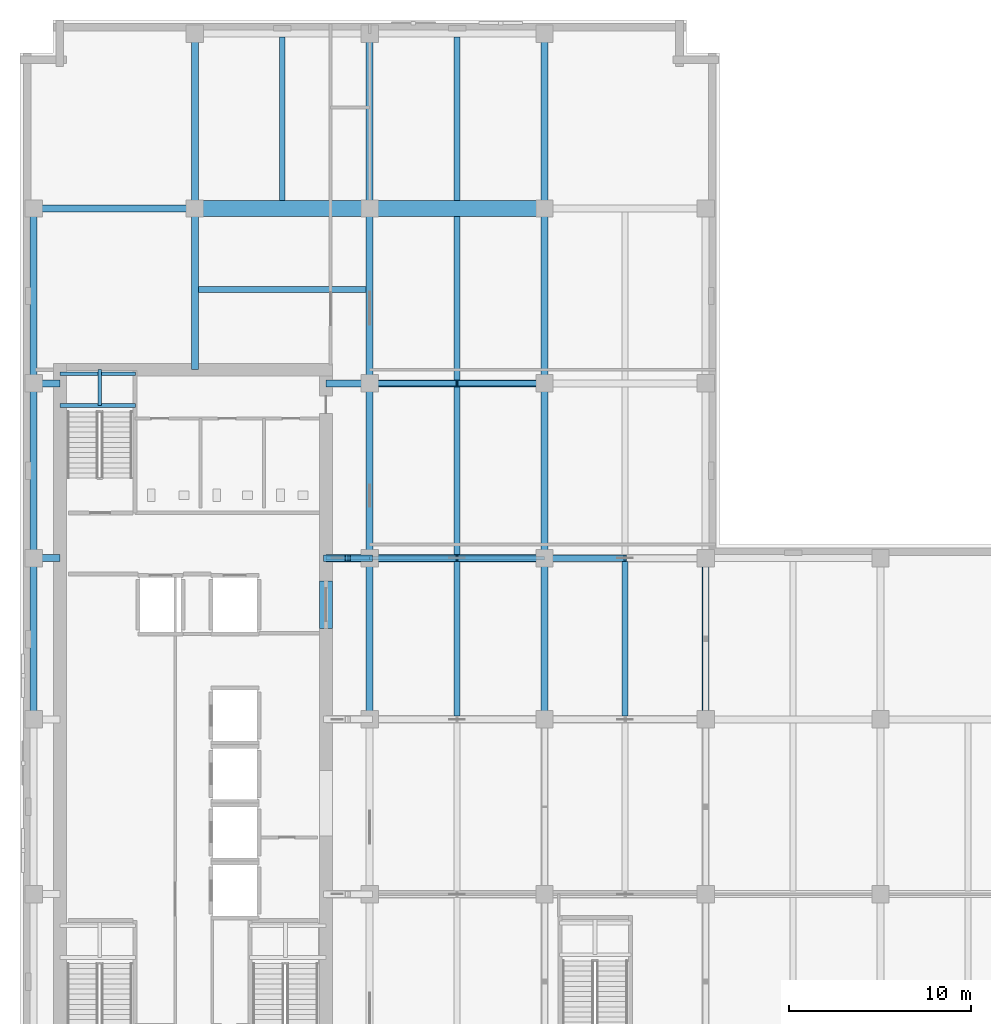
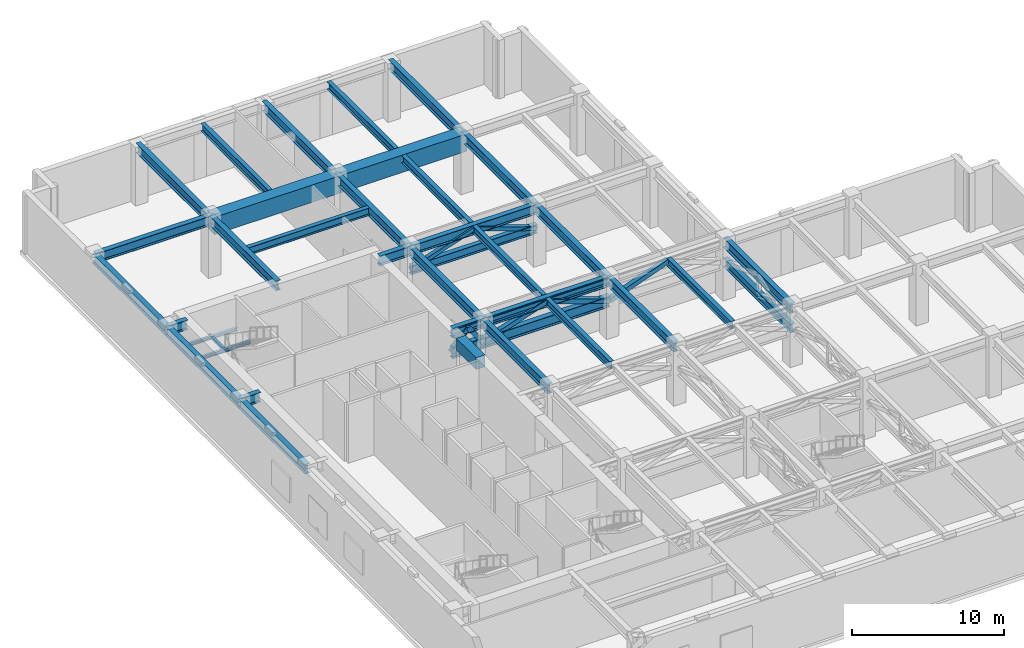
# One storey, part 6 of 21: 38 beams, 9 members.
"""IFC4 building model written with IfcOpenShell, lengths in metres."""

import ifcopenshell
import ifcopenshell.guid

model = None  # the IFC model being written
_history = None  # IfcOwnerHistory: only IFC2X3 demands one
_inside = {}  # id of a spatial element -> (the spatial element, [elements in it])
_under = {}  # id of a project, library or spatial element -> (it, [spatial elements below it])
_declared = {}  # id of a project -> (the project, [libraries it declares])
_typed = {}  # id of a type object -> (the type object, [elements of that type])
_made_of = {}  # id of a material, layer set ... -> (it, [elements and type objects made of it])


def new_model(schema):
    """Start an empty IFC model of exactly this schema.

    Asked for "IFC4X3", IfcOpenShell would pick the latest addendum, in which some entities
    have other attributes; the version numbers below select the first issue.
    IFC2X3 requires an IfcOwnerHistory on every rooted entity: one is made here for all.
    """
    global model, _history
    if schema == "IFC4X3":
        model = ifcopenshell.file(schema_version=(4, 3, 0, 0))
    else:
        model = ifcopenshell.file(schema=schema)
    _inside.clear()
    _under.clear()
    _declared.clear()
    _typed.clear()
    _made_of.clear()
    _history = None
    if model.schema == "IFC2X3":
        org = make("IfcOrganization", Name="unknown")
        user = make(
            "IfcPersonAndOrganization",
            ThePerson=make("IfcPerson", FamilyName="unknown"),
            TheOrganization=org,
        )
        app = make(
            "IfcApplication",
            ApplicationDeveloper=org,
            Version="unknown",
            ApplicationFullName="unknown",
            ApplicationIdentifier="unknown",
        )
        _history = make(
            "IfcOwnerHistory",
            OwningUser=user,
            OwningApplication=app,
            ChangeAction="ADDED",
            CreationDate=0,
        )
    return model


def make(cls, **values):
    """One entity of the class cls with the attributes given. An attribute that is None is left unset."""
    return model.create_entity(
        cls, **{name: value for name, value in values.items() if value is not None}
    )


def rooted(cls, **values):
    """An entity with a GlobalId (a new one), such as an element, a storey or a relation."""
    return make(cls, GlobalId=ifcopenshell.guid.new(), OwnerHistory=_history, **values)


def si_unit(unit_type, name, prefix=None):
    """IfcSIUnit, for example si_unit("LENGTHUNIT", "METRE", prefix="MILLI")."""
    return make("IfcSIUnit", UnitType=unit_type, Prefix=prefix, Name=name)


def assignment(units):
    """IfcUnitAssignment: the units of a project."""
    return None if units is None else make("IfcUnitAssignment", Units=units)


def point(xyz):
    """IfcCartesianPoint."""
    return None if xyz is None else make("IfcCartesianPoint", Coordinates=xyz)


def direction(xyz):
    """IfcDirection."""
    return None if xyz is None else make("IfcDirection", DirectionRatios=xyz)


def frame(location, z_axis=None, x_axis=None):
    """IfcAxis2Placement3D, a coordinate frame: its origin and axes. An axis left out is left unset."""
    return make(
        "IfcAxis2Placement3D",
        Location=point(location),
        Axis=direction(z_axis),
        RefDirection=direction(x_axis),
    )


def frame_2d(location, x_axis=None):
    """IfcAxis2Placement2D, a coordinate frame in the plane: its origin and x axis."""
    return make(
        "IfcAxis2Placement2D", Location=point(location), RefDirection=direction(x_axis)
    )


def origin():
    """The frame at (0, 0, 0) with its axes left unset."""
    return frame((0.0, 0.0, 0.0))


def origin_2d():
    """The frame at (0, 0) in the plane with its x axis left unset."""
    return frame_2d((0.0, 0.0))


def place(relative_to, where):
    """IfcLocalPlacement: puts the frame where relative to a parent placement (None: the world)."""
    return make(
        "IfcLocalPlacement", PlacementRelTo=relative_to, RelativePlacement=where
    )


def context(
    kind, dimensions, precision=None, world=None, true_north=None, identifier=None
):
    """IfcGeometricRepresentationContext, for example the 3D "Model" context."""
    return make(
        "IfcGeometricRepresentationContext",
        ContextIdentifier=identifier,
        ContextType=kind,
        CoordinateSpaceDimension=dimensions,
        Precision=precision,
        WorldCoordinateSystem=world,
        TrueNorth=true_north,
    )


def subcontext(parent, identifier, kind, view, scale=None):
    """IfcGeometricRepresentationSubContext, for example "Body" below "Model"."""
    return make(
        "IfcGeometricRepresentationSubContext",
        ContextIdentifier=identifier,
        ContextType=kind,
        ParentContext=parent,
        TargetScale=scale,
        TargetView=view,
    )


def project(units=None, contexts=None):
    """IfcProject with its units and contexts."""
    return rooted(
        "IfcProject",
        Name="project",
        RepresentationContexts=contexts,
        UnitsInContext=assignment(units),
    )


def spatial(cls, under=None, at=None, **own):
    """A site, building, storey or space (cls), placed at a placement, below another one or the project."""
    s = rooted(cls, ObjectPlacement=at, **own)
    if under is not None:
        _under.setdefault(under.id(), (under, []))[1].append(s)
    return s


def profile(cls, at=None, kind="AREA", **sizes):
    """A parametric profile (cls). Its sizes go by their IFC names, for example OverallWidth=200.0."""
    return make(cls, ProfileType=kind, Position=at, **sizes)


def rectangle(**sizes):
    """IfcRectangleProfileDef."""
    return profile("IfcRectangleProfileDef", **sizes)


def hollow_rectangle(**sizes):
    """IfcRectangleHollowProfileDef."""
    return profile("IfcRectangleHollowProfileDef", **sizes)


def i_section(**sizes):
    """IfcIShapeProfileDef."""
    return profile("IfcIShapeProfileDef", **sizes)


def extrude(swept, where, along, depth):
    """IfcExtrudedAreaSolid: the profile swept, set in the frame where, extruded along a direction by depth."""
    return make(
        "IfcExtrudedAreaSolid",
        SweptArea=swept,
        Position=where,
        ExtrudedDirection=direction(along),
        Depth=depth,
    )


def shape(context_of_items, identifier, shape_type, items):
    """IfcShapeRepresentation: the items that make up one representation, for example the "Body"."""
    return make(
        "IfcShapeRepresentation",
        ContextOfItems=context_of_items,
        RepresentationIdentifier=identifier,
        RepresentationType=shape_type,
        Items=items,
    )


def material(Name=None, Category=None):
    """IfcMaterial."""
    return make("IfcMaterial", Name=Name, Category=Category)


def material_profile(
    of_material, cross_section, Name=None, Category=None, Priority=None
):
    """IfcMaterialProfile: a cross section and its material."""
    return make(
        "IfcMaterialProfile",
        Name=Name,
        Material=of_material,
        Profile=cross_section,
        Priority=Priority,
        Category=Category,
    )


def profile_set(profiles, Name=None, composite=None):
    """IfcMaterialProfileSet."""
    return make(
        "IfcMaterialProfileSet",
        Name=Name,
        MaterialProfiles=profiles,
        CompositeProfile=composite,
    )


def made_of(thing, what):
    """Note that an element or type object is made of a material, layer set ...; save() writes the relation."""
    if what is not None:
        _made_of.setdefault(what.id(), (what, []))[1].append(thing)
    return thing


def type_object(cls, material=None, **own):
    """A type object (cls), such as IfcWallType, which elements share."""
    return made_of(rooted(cls, **own), material)


def element(
    cls,
    number,
    at=None,
    inside=None,
    cuts=None,
    type_object=None,
    material=None,
    context=None,
    identifier="Body",
    shape_type=None,
    held_by="IfcProductDefinitionShape",
    body=None,
    shapes=None,
    **own,
):
    """One element of the class cls, such as IfcWall. Its Tag is "e" and its number.

    at: its placement. inside: the storey or other place that contains it. cuts: it is an
    opening in that element (IfcRelVoidsElement). A single representation is given by context,
    identifier, shape_type and body (its items); several are given by shapes. held_by: the class
    of the entity that holds the representations. save() writes the other relations.
    """
    e = rooted(cls, Tag="e%d" % number, ObjectPlacement=at, **own)
    if body is not None:
        shapes = [shape(context, identifier, shape_type, body)]
    if shapes is not None:
        e.Representation = make(held_by, Representations=shapes)
    if inside is not None:
        _inside.setdefault(inside.id(), (inside, []))[1].append(e)
    if cuts is not None:
        rooted(
            "IfcRelVoidsElement", RelatingBuildingElement=cuts, RelatedOpeningElement=e
        )
    if type_object is not None:
        _typed.setdefault(type_object.id(), (type_object, []))[1].append(e)
    return made_of(e, material)


def aggregate(whole, parts):
    """IfcRelAggregates: a whole, such as a stair, and the parts it consists of."""
    return rooted("IfcRelAggregates", RelatingObject=whole, RelatedObjects=parts)


def save(model, path):
    """Write the relations noted so far, then the file.

    IfcRelAggregates (storeys below a building ...), IfcRelContainedInSpatialStructure (elements
    in a storey), IfcRelDefinesByType, IfcRelAssociatesMaterial and IfcRelDeclares: one each for
    every whole, place, type object, material and project.
    """
    for whole, parts in _under.values():
        aggregate(whole, parts)
    for where, things in _inside.values():
        rooted(
            "IfcRelContainedInSpatialStructure",
            RelatedElements=things,
            RelatingStructure=where,
        )
    for kind, things in _typed.values():
        rooted("IfcRelDefinesByType", RelatedObjects=things, RelatingType=kind)
    for what, things in _made_of.values():
        rooted("IfcRelAssociatesMaterial", RelatedObjects=things, RelatingMaterial=what)
    for by, libraries in _declared.values():
        rooted("IfcRelDeclares", RelatingContext=by, RelatedDefinitions=libraries)
    model.write(path)


model = new_model("IFC4")

# Units and contexts
model_context = context("Model", 3, precision=1e-05, world=origin(), true_north=direction((0.0, 1.0)))
body_context = subcontext(model_context, "Body", "Model", "MODEL_VIEW")
ifc_project = project(units=[si_unit("LENGTHUNIT", "METRE"), si_unit("AREAUNIT", "SQUARE_METRE"), si_unit("VOLUMEUNIT", "CUBIC_METRE"), si_unit("PLANEANGLEUNIT", "RADIAN"), si_unit("MASSUNIT", "GRAM", prefix="KILO")], contexts=[model_context])

# Site, building, storey
site_placement = place(None, origin())
site = spatial("IfcSite", under=ifc_project, at=site_placement, CompositionType="ELEMENT")
building_placement = place(site_placement, origin())
building = spatial("IfcBuilding", under=site, at=building_placement, Name="Norrvale University Quadrangle", CompositionType="ELEMENT")
storey_placement = place(building_placement, frame((0.0, 0.0, 194.0)))
storey = spatial("IfcBuildingStorey", under=building, at=storey_placement, Name="L49", CompositionType="ELEMENT", Elevation=194.0)

# Beams
ifc_material_1 = material(Name="Steel 350W", Category="steel")
ifc_material_profile_1 = material_profile(ifc_material_1, i_section(OverallWidth=0.324951171875, OverallDepth=0.615966796875, WebThickness=0.013916015625, FlangeThickness=0.021484375, FilletRadius=0.01611328125, at=origin_2d()), Name="Steel 350W")
ifc_profile_set_1 = profile_set([ifc_material_profile_1], Name="Steel 350W")
beam_type_1 = type_object("IfcBeamType", Name="Beam Belt W610x174", PredefinedType="BEAM", material=ifc_profile_set_1)
beam_1_placement = place(storey_placement, frame((14.39990234375, 57.300048828125, 4.39208984375), z_axis=(0.0, 1.0, 0.0), x_axis=(-1.0, 0.0, 0.0)))
element("IfcBeam", 1, at=beam_1_placement, inside=storey, type_object=beam_type_1, Name="Beam Belt W610x174 BM-L49-J068", PredefinedType="BEAM", context=body_context, shape_type="SweptSolid", body=[
    extrude(i_section(OverallWidth=0.324951171875, OverallDepth=0.615966796875, WebThickness=0.013916015625, FlangeThickness=0.021484375, FilletRadius=0.01611328125, at=origin_2d()), origin(), (0.0, 0.0, 1.0), 8.95947265625),
])
beam_2_placement = place(storey_placement, frame((24.0, 28.990478515625, 4.431884765625), z_axis=(0.0, 1.0, 0.0), x_axis=(-1.0, 0.0, 0.0)))
element("IfcBeam", 2, at=beam_2_placement, inside=storey, type_object=beam_type_1, Name="Beam Belt W610x174 BM-L49-J072", PredefinedType="BEAM", context=body_context, shape_type="SweptSolid", body=[
    extrude(i_section(OverallWidth=0.324951171875, OverallDepth=0.615966796875, WebThickness=0.013916015625, FlangeThickness=0.021484375, FilletRadius=0.01611328125, at=origin_2d()), origin(), (0.0, 0.0, 1.0), 8.468994140625),
])
beam_3_placement = place(storey_placement, frame((24.0, 37.840576171875, 4.431884765625), z_axis=(0.0, 1.0, 0.0), x_axis=(-1.0, 0.0, 0.0)))
element("IfcBeam", 3, at=beam_3_placement, inside=storey, type_object=beam_type_1, Name="Beam Belt W610x174 BM-L49-J073", PredefinedType="BEAM", context=body_context, shape_type="SweptSolid", body=[
    extrude(i_section(OverallWidth=0.324951171875, OverallDepth=0.615966796875, WebThickness=0.013916015625, FlangeThickness=0.021484375, FilletRadius=0.01611328125, at=origin_2d()), origin(), (0.0, 0.0, 1.0), 9.218994140625),
])
for number, where, z_axis, x_axis, name in (
    (4, (24.0, 47.4404296875, 4.431884765625), (0.0, 1.0, 0.0), (-1.0, 0.0, 0.0), "Beam Belt W610x174 BM-L49-J074"),
    (5, (24.0, 57.300048828125, 4.39208984375), (0.0, 1.0, 0.0), (-1.0, 0.0, 0.0), "Beam Belt W610x174 BM-L49-J075"),
):
    element("IfcBeam", number, at=place(storey_placement, frame(where, z_axis=z_axis, x_axis=x_axis)), inside=storey, type_object=beam_type_1, Name=name, PredefinedType="BEAM", context=body_context, shape_type="SweptSolid", body=[
        extrude(i_section(OverallWidth=0.324951171875, OverallDepth=0.615966796875, WebThickness=0.013916015625, FlangeThickness=0.021484375, FilletRadius=0.01611328125, at=origin_2d()), origin(), (0.0, 0.0, 1.0), 8.95947265625),
    ])
beam_4_placement = place(storey_placement, frame((33.22509765625, 28.990478515625, 4.431884765625), z_axis=(0.0, 1.0, 0.0), x_axis=(-1.0, 0.0, 0.0)))
element("IfcBeam", 6, at=beam_4_placement, inside=storey, type_object=beam_type_1, Name="Beam Belt W610x174 BM-L49-J078", PredefinedType="BEAM", context=body_context, shape_type="SweptSolid", body=[
    extrude(i_section(OverallWidth=0.324951171875, OverallDepth=0.615966796875, WebThickness=0.013916015625, FlangeThickness=0.021484375, FilletRadius=0.01611328125, at=origin_2d()), origin(), (0.0, 0.0, 1.0), 8.468994140625),
])
beam_5_placement = place(storey_placement, frame((9.79052734375, 52.39990234375, 4.431884765625), z_axis=(1.0, 0.0, 0.0), x_axis=(0.0, 1.0, 0.0)))
element("IfcBeam", 7, at=beam_5_placement, inside=storey, type_object=beam_type_1, Name="Beam Belt W610x174 BM-L49-JCN090", PredefinedType="BEAM", context=body_context, shape_type="SweptSolid", body=[
    extrude(i_section(OverallWidth=0.324951171875, OverallDepth=0.615966796875, WebThickness=0.013916015625, FlangeThickness=0.021484375, FilletRadius=0.01611328125, at=origin_2d()), origin(), (0.0, 0.0, 1.0), 9.218994140625),
])
ifc_material_profile_2 = material_profile(ifc_material_1, i_section(OverallWidth=0.35498046875, OverallDepth=0.695068359375, WebThickness=0.015380859375, FlangeThickness=0.02490234375, FilletRadius=0.01806640625, at=origin_2d()), Name="Steel 350W")
ifc_profile_set_2 = profile_set([ifc_material_profile_2], Name="Steel 350W")
beam_type_2 = type_object("IfcBeamType", Name="Beam Belt W690x217", PredefinedType="BEAM", material=ifc_profile_set_2)
beam_6_placement = place(storey_placement, frame((37.64990234375, 28.800048828125, 2.75), z_axis=(0.0, 1.0, 0.0), x_axis=(-1.0, 0.0, 0.0)))
element("IfcBeam", 8, at=beam_6_placement, inside=storey, type_object=beam_type_2, Name="Belt Truss Chord L49-03", PredefinedType="BEAM", context=body_context, shape_type="SweptSolid", body=[
    extrude(i_section(OverallWidth=0.35498046875, OverallDepth=0.695068359375, WebThickness=0.015380859375, FlangeThickness=0.02490234375, FilletRadius=0.01806640625, at=origin_2d()), origin(), (0.0, 0.0, 1.0), 8.849853515625),
])
beam_7_placement = place(storey_placement, frame((19.199951171875, 47.25, 2.75), z_axis=(1.0, 0.0, 0.0), x_axis=(0.0, 1.0, 0.0)))
element("IfcBeam", 9, at=beam_7_placement, inside=storey, type_object=beam_type_2, Name="Belt Truss Chord L49-06", PredefinedType="BEAM", context=body_context, shape_type="SweptSolid", body=[
    extrude(i_section(OverallWidth=0.35498046875, OverallDepth=0.695068359375, WebThickness=0.015380859375, FlangeThickness=0.02490234375, FilletRadius=0.01806640625, at=origin_2d()), origin(), (0.0, 0.0, 1.0), 9.60009765625),
])
ifc_material_2 = material(Name="Concrete C80/95", Category="concrete")
ifc_material_profile_3 = material_profile(ifc_material_2, rectangle(XDim=0.699951171875, YDim=0.949951171875, at=origin_2d()), Name="Concrete C80/95")
ifc_profile_set_3 = profile_set([ifc_material_profile_3], Name="Concrete C80/95")
beam_type_3 = type_object("IfcBeamType", Name="Beam Core Link 700x950", PredefinedType="LINTEL", material=ifc_profile_set_3)
beam_8_placement = place(storey_placement, frame((16.800048828125, 33.800048828125, 4.264892578125), z_axis=(0.0, 1.0, 0.0), x_axis=(-1.0, 0.0, 0.0)))
element("IfcBeam", 10, at=beam_8_placement, inside=storey, type_object=beam_type_3, Name="Core Coupling Lintel Beam L49-2", PredefinedType="LINTEL", context=body_context, shape_type="SweptSolid", body=[
    extrude(rectangle(XDim=0.699951171875, YDim=0.949951171875, at=origin_2d()), origin(), (0.0, 0.0, 1.0), 2.599853515625),
])
ifc_material_profile_4 = material_profile(ifc_material_1, i_section(OverallWidth=0.381103515625, OverallDepth=0.77294921875, WebThickness=0.0166015625, FlangeThickness=0.027587890625, FilletRadius=0.02001953125, at=origin_2d()), Name="Steel 350W")
ifc_profile_set_4 = profile_set([ifc_material_profile_4], Name="Steel 350W")
beam_type_4 = type_object("IfcBeamType", Name="Beam Outrig W760x257", PredefinedType="BEAM", material=ifc_profile_set_4)
for number, where, z_axis, x_axis, name in (
    (11, (19.199951171875, 37.64990234375, 4.353515625), (1.0, 0.0, 0.0), (0.0, 1.0, 0.0), "Beam Outrig W760x257 BM-L49-GX017"),
    (12, (19.199951171875, 47.25, 4.353515625), (1.0, 0.0, 0.0), (0.0, 1.0, 0.0), "Beam Outrig W760x257 BM-L49-GX020"),
):
    element("IfcBeam", number, at=place(storey_placement, frame(where, z_axis=z_axis, x_axis=x_axis)), inside=storey, type_object=beam_type_4, Name=name, PredefinedType="BEAM", context=body_context, shape_type="SweptSolid", body=[
        extrude(i_section(OverallWidth=0.381103515625, OverallDepth=0.77294921875, WebThickness=0.0166015625, FlangeThickness=0.027587890625, FilletRadius=0.02001953125, at=origin_2d()), origin(), (0.0, 0.0, 1.0), 9.60009765625),
    ])
beam_9_placement = place(storey_placement, frame((0.75, 56.85009765625, 4.353515625), z_axis=(1.0, 0.0, 0.0), x_axis=(0.0, 1.0, 0.0)))
element("IfcBeam", 13, at=beam_9_placement, inside=storey, type_object=beam_type_4, Name="Beam Outrig W760x257 BM-L49-GX022", PredefinedType="BEAM", context=body_context, shape_type="SweptSolid", body=[
    extrude(i_section(OverallWidth=0.381103515625, OverallDepth=0.77294921875, WebThickness=0.0166015625, FlangeThickness=0.027587890625, FilletRadius=0.02001953125, at=origin_2d()), origin(), (0.0, 0.0, 1.0), 8.85009765625),
])
beam_10_placement = place(storey_placement, frame((0.75, 28.800048828125, 4.353515625), z_axis=(0.0, 1.0, 0.0), x_axis=(-1.0, 0.0, 0.0)))
element("IfcBeam", 14, at=beam_10_placement, inside=storey, type_object=beam_type_4, Name="Beam Outrig W760x257 BM-L49-GY028", PredefinedType="BEAM", context=body_context, shape_type="SweptSolid", body=[
    extrude(i_section(OverallWidth=0.381103515625, OverallDepth=0.77294921875, WebThickness=0.0166015625, FlangeThickness=0.027587890625, FilletRadius=0.02001953125, at=origin_2d()), origin(), (0.0, 0.0, 1.0), 8.849853515625),
])
for number, where, z_axis, x_axis, name in (
    (15, (0.75, 37.64990234375, 4.353515625), (0.0, 1.0, 0.0), (-1.0, 0.0, 0.0), "Beam Outrig W760x257 BM-L49-GY029"),
    (16, (0.75, 47.25, 4.353515625), (0.0, 1.0, 0.0), (-1.0, 0.0, 0.0), "Beam Outrig W760x257 BM-L49-GY030"),
):
    element("IfcBeam", number, at=place(storey_placement, frame(where, z_axis=z_axis, x_axis=x_axis)), inside=storey, type_object=beam_type_4, Name=name, PredefinedType="BEAM", context=body_context, shape_type="SweptSolid", body=[
        extrude(i_section(OverallWidth=0.381103515625, OverallDepth=0.77294921875, WebThickness=0.0166015625, FlangeThickness=0.027587890625, FilletRadius=0.02001953125, at=origin_2d()), origin(), (0.0, 0.0, 1.0), 9.60009765625),
    ])
beam_11_placement = place(storey_placement, frame((9.60009765625, 56.85009765625, 4.3134765625), z_axis=(0.0, 1.0, 0.0), x_axis=(-1.0, 0.0, 0.0)))
element("IfcBeam", 17, at=beam_11_placement, inside=storey, type_object=beam_type_4, Name="Beam Outrig W760x257 BM-L49-GY031", PredefinedType="BEAM", context=body_context, shape_type="SweptSolid", body=[
    extrude(i_section(OverallWidth=0.381103515625, OverallDepth=0.77294921875, WebThickness=0.0166015625, FlangeThickness=0.027587890625, FilletRadius=0.02001953125, at=origin_2d()), origin(), (0.0, 0.0, 1.0), 9.599853515625),
])
beam_12_placement = place(storey_placement, frame((19.199951171875, 28.800048828125, 4.353515625), z_axis=(0.0, 1.0, 0.0), x_axis=(-1.0, 0.0, 0.0)))
element("IfcBeam", 18, at=beam_12_placement, inside=storey, type_object=beam_type_4, Name="Beam Outrig W760x257 BM-L49-GY035", PredefinedType="BEAM", context=body_context, shape_type="SweptSolid", body=[
    extrude(i_section(OverallWidth=0.381103515625, OverallDepth=0.77294921875, WebThickness=0.0166015625, FlangeThickness=0.027587890625, FilletRadius=0.02001953125, at=origin_2d()), origin(), (0.0, 0.0, 1.0), 8.849853515625),
])
for number, where, z_axis, x_axis, name in (
    (19, (19.199951171875, 37.64990234375, 4.353515625), (0.0, 1.0, 0.0), (-1.0, 0.0, 0.0), "Beam Outrig W760x257 BM-L49-GY036"),
    (20, (19.199951171875, 47.25, 4.353515625), (0.0, 1.0, 0.0), (-1.0, 0.0, 0.0), "Beam Outrig W760x257 BM-L49-GY037"),
):
    element("IfcBeam", number, at=place(storey_placement, frame(where, z_axis=z_axis, x_axis=x_axis)), inside=storey, type_object=beam_type_4, Name=name, PredefinedType="BEAM", context=body_context, shape_type="SweptSolid", body=[
        extrude(i_section(OverallWidth=0.381103515625, OverallDepth=0.77294921875, WebThickness=0.0166015625, FlangeThickness=0.027587890625, FilletRadius=0.02001953125, at=origin_2d()), origin(), (0.0, 0.0, 1.0), 9.60009765625),
    ])
beam_13_placement = place(storey_placement, frame((19.199951171875, 56.85009765625, 4.3134765625), z_axis=(0.0, 1.0, 0.0), x_axis=(-1.0, 0.0, 0.0)))
element("IfcBeam", 21, at=beam_13_placement, inside=storey, type_object=beam_type_4, Name="Beam Outrig W760x257 BM-L49-GY038", PredefinedType="BEAM", context=body_context, shape_type="SweptSolid", body=[
    extrude(i_section(OverallWidth=0.381103515625, OverallDepth=0.77294921875, WebThickness=0.0166015625, FlangeThickness=0.027587890625, FilletRadius=0.02001953125, at=origin_2d()), origin(), (0.0, 0.0, 1.0), 9.599853515625),
])
beam_14_placement = place(storey_placement, frame((28.800048828125, 28.800048828125, 4.353515625), z_axis=(0.0, 1.0, 0.0), x_axis=(-1.0, 0.0, 0.0)))
element("IfcBeam", 22, at=beam_14_placement, inside=storey, type_object=beam_type_4, Name="Beam Outrig W760x257 BM-L49-GY042", PredefinedType="BEAM", context=body_context, shape_type="SweptSolid", body=[
    extrude(i_section(OverallWidth=0.381103515625, OverallDepth=0.77294921875, WebThickness=0.0166015625, FlangeThickness=0.027587890625, FilletRadius=0.02001953125, at=origin_2d()), origin(), (0.0, 0.0, 1.0), 8.849853515625),
])
for number, where, z_axis, x_axis, name in (
    (23, (28.800048828125, 37.64990234375, 4.353515625), (0.0, 1.0, 0.0), (-1.0, 0.0, 0.0), "Beam Outrig W760x257 BM-L49-GY043"),
    (24, (28.800048828125, 47.25, 4.353515625), (0.0, 1.0, 0.0), (-1.0, 0.0, 0.0), "Beam Outrig W760x257 BM-L49-GY044"),
):
    element("IfcBeam", number, at=place(storey_placement, frame(where, z_axis=z_axis, x_axis=x_axis)), inside=storey, type_object=beam_type_4, Name=name, PredefinedType="BEAM", context=body_context, shape_type="SweptSolid", body=[
        extrude(i_section(OverallWidth=0.381103515625, OverallDepth=0.77294921875, WebThickness=0.0166015625, FlangeThickness=0.027587890625, FilletRadius=0.02001953125, at=origin_2d()), origin(), (0.0, 0.0, 1.0), 9.60009765625),
    ])
beam_15_placement = place(storey_placement, frame((28.800048828125, 56.85009765625, 4.3134765625), z_axis=(0.0, 1.0, 0.0), x_axis=(-1.0, 0.0, 0.0)))
element("IfcBeam", 25, at=beam_15_placement, inside=storey, type_object=beam_type_4, Name="Beam Outrig W760x257 BM-L49-GY045", PredefinedType="BEAM", context=body_context, shape_type="SweptSolid", body=[
    extrude(i_section(OverallWidth=0.381103515625, OverallDepth=0.77294921875, WebThickness=0.0166015625, FlangeThickness=0.027587890625, FilletRadius=0.02001953125, at=origin_2d()), origin(), (0.0, 0.0, 1.0), 9.599853515625),
])
beam_16_placement = place(storey_placement, frame((37.64990234375, 28.800048828125, 4.353515625), z_axis=(0.0, 1.0, 0.0), x_axis=(-1.0, 0.0, 0.0)))
element("IfcBeam", 26, at=beam_16_placement, inside=storey, type_object=beam_type_4, Name="Beam Outrig W760x257 BM-L49-GY049", PredefinedType="BEAM", context=body_context, shape_type="SweptSolid", body=[
    extrude(i_section(OverallWidth=0.381103515625, OverallDepth=0.77294921875, WebThickness=0.0166015625, FlangeThickness=0.027587890625, FilletRadius=0.02001953125, at=origin_2d()), origin(), (0.0, 0.0, 1.0), 8.849853515625),
])
beam_17_placement = place(storey_placement, frame((0.75, 37.64990234375, 4.353515625), z_axis=(1.0, 0.0, 0.0), x_axis=(0.0, 1.0, 0.0)))
element("IfcBeam", 27, at=beam_17_placement, inside=storey, type_object=beam_type_4, Name="Beam Outrig W760x257 BM-L49-GCW064", PredefinedType="BEAM", context=body_context, shape_type="SweptSolid", body=[
    extrude(i_section(OverallWidth=0.381103515625, OverallDepth=0.77294921875, WebThickness=0.0166015625, FlangeThickness=0.027587890625, FilletRadius=0.02001953125, at=origin_2d()), origin(), (0.0, 0.0, 1.0), 1.449951171875),
])
beam_18_placement = place(storey_placement, frame((16.800048828125, 37.64990234375, 4.353515625), z_axis=(1.0, 0.0, 0.0), x_axis=(0.0, 1.0, 0.0)))
element("IfcBeam", 28, at=beam_18_placement, inside=storey, type_object=beam_type_4, Name="Beam Outrig W760x257 BM-L49-GCE065", PredefinedType="BEAM", context=body_context, shape_type="SweptSolid", body=[
    extrude(i_section(OverallWidth=0.381103515625, OverallDepth=0.77294921875, WebThickness=0.0166015625, FlangeThickness=0.027587890625, FilletRadius=0.02001953125, at=origin_2d()), origin(), (0.0, 0.0, 1.0), 2.39990234375),
])
beam_19_placement = place(storey_placement, frame((0.75, 47.25, 4.353515625), z_axis=(1.0, 0.0, 0.0), x_axis=(0.0, 1.0, 0.0)))
element("IfcBeam", 29, at=beam_19_placement, inside=storey, type_object=beam_type_4, Name="Beam Outrig W760x257 BM-L49-GCW066", PredefinedType="BEAM", context=body_context, shape_type="SweptSolid", body=[
    extrude(i_section(OverallWidth=0.381103515625, OverallDepth=0.77294921875, WebThickness=0.0166015625, FlangeThickness=0.027587890625, FilletRadius=0.02001953125, at=origin_2d()), origin(), (0.0, 0.0, 1.0), 1.449951171875),
])
beam_20_placement = place(storey_placement, frame((16.800048828125, 47.25, 4.353515625), z_axis=(1.0, 0.0, 0.0), x_axis=(0.0, 1.0, 0.0)))
element("IfcBeam", 30, at=beam_20_placement, inside=storey, type_object=beam_type_4, Name="Beam Outrig W760x257 BM-L49-GCE067", PredefinedType="BEAM", context=body_context, shape_type="SweptSolid", body=[
    extrude(i_section(OverallWidth=0.381103515625, OverallDepth=0.77294921875, WebThickness=0.0166015625, FlangeThickness=0.027587890625, FilletRadius=0.02001953125, at=origin_2d()), origin(), (0.0, 0.0, 1.0), 2.39990234375),
])
beam_21_placement = place(storey_placement, frame((9.60009765625, 48.0, 4.353515625), z_axis=(0.0, 1.0, 0.0), x_axis=(-1.0, 0.0, 0.0)))
element("IfcBeam", 31, at=beam_21_placement, inside=storey, type_object=beam_type_4, Name="Beam Outrig W760x257 BM-L49-GCN089", PredefinedType="BEAM", context=body_context, shape_type="SweptSolid", body=[
    extrude(i_section(OverallWidth=0.381103515625, OverallDepth=0.77294921875, WebThickness=0.0166015625, FlangeThickness=0.027587890625, FilletRadius=0.02001953125, at=origin_2d()), origin(), (0.0, 0.0, 1.0), 8.85009765625),
])
ifc_material_profile_5 = material_profile(ifc_material_1, i_section(OverallWidth=0.39990234375, OverallDepth=0.85498046875, WebThickness=0.018310546875, FlangeThickness=0.029296875, FilletRadius=0.02197265625, at=origin_2d()), Name="Steel 350W")
ifc_profile_set_5 = profile_set([ifc_material_profile_5], Name="Steel 350W")
beam_type_5 = type_object("IfcBeamType", Name="Beam Outrig W840x299", PredefinedType="BEAM", material=ifc_profile_set_5)
beam_22_placement = place(storey_placement, frame((16.800048828125, 37.64990234375, 2.75), z_axis=(1.0, 0.0, 0.0), x_axis=(0.0, 1.0, 0.0)))
element("IfcBeam", 32, at=beam_22_placement, inside=storey, type_object=beam_type_5, Name="Outrigger Bottom Chord L49-4.1", PredefinedType="BEAM", context=body_context, shape_type="SweptSolid", body=[
    extrude(i_section(OverallWidth=0.39990234375, OverallDepth=0.85498046875, WebThickness=0.018310546875, FlangeThickness=0.029296875, FilletRadius=0.02197265625, at=origin_2d()), origin(), (0.0, 0.0, 1.0), 2.39990234375),
])
beam_23_placement = place(storey_placement, frame((19.199951171875, 37.64990234375, 2.75), z_axis=(1.0, 0.0, 0.0), x_axis=(0.0, 1.0, 0.0)))
element("IfcBeam", 33, at=beam_23_placement, inside=storey, type_object=beam_type_5, Name="Outrigger Bottom Chord L49-4.2", PredefinedType="BEAM", context=body_context, shape_type="SweptSolid", body=[
    extrude(i_section(OverallWidth=0.39990234375, OverallDepth=0.85498046875, WebThickness=0.018310546875, FlangeThickness=0.029296875, FilletRadius=0.02197265625, at=origin_2d()), origin(), (0.0, 0.0, 1.0), 9.60009765625),
])
ifc_material_profile_6 = material_profile(ifc_material_1, i_section(OverallWidth=0.201904296875, OverallDepth=0.2470703125, WebThickness=0.00732421875, FlangeThickness=0.010986328125, FilletRadius=0.011962890625, at=origin_2d()), Name="Steel 350W")
ifc_profile_set_6 = profile_set([ifc_material_profile_6], Name="Steel 350W")
beam_type_6 = type_object("IfcBeamType", Name="Beam Stair W250x49", PredefinedType="BEAM", material=ifc_profile_set_6)
for number, where, z_axis, x_axis, name in (
    (34, (2.199951171875, 46.030029296875, 2.176513671875), (1.0, 0.0, 0.0), (0.0, 1.0, 0.0), "Stair Mid-Landing Front Beam ST-02 L49"),
    (35, (2.199951171875, 47.77001953125, 2.176513671875), (1.0, 0.0, 0.0), (0.0, 1.0, 0.0), "Stair Mid-Landing Rear Beam ST-02 L49"),
):
    element("IfcBeam", number, at=place(storey_placement, frame(where, z_axis=z_axis, x_axis=x_axis)), inside=storey, type_object=beam_type_6, Name=name, PredefinedType="BEAM", context=body_context, shape_type="SweptSolid", body=[
        extrude(i_section(OverallWidth=0.201904296875, OverallDepth=0.2470703125, WebThickness=0.00732421875, FlangeThickness=0.010986328125, FilletRadius=0.011962890625, at=origin_2d()), origin(), (0.0, 0.0, 1.0), 4.14013671875),
    ])
ifc_material_3 = material(Name="Concrete C60/75", Category="concrete")
ifc_material_profile_7 = material_profile(ifc_material_3, rectangle(XDim=0.89990234375, YDim=1.39990234375, at=origin_2d()), Name="Concrete C60/75")
ifc_profile_set_7 = profile_set([ifc_material_profile_7], Name="Concrete C60/75")
beam_type_7 = type_object("IfcBeamType", Name="Beam Transfer 900x1400", PredefinedType="USERDEFINED", material=ifc_profile_set_7)
beam_24_placement = place(storey_placement, frame((9.60009765625, 56.85009765625, 4.0400390625), z_axis=(1.0, 0.0, 0.0), x_axis=(0.0, 1.0, 0.0)))
element("IfcBeam", 36, at=beam_24_placement, inside=storey, type_object=beam_type_7, Name="Setback Transfer Girder L49-21", ObjectType="TRANSFER GIRDER", PredefinedType="USERDEFINED", context=body_context, shape_type="SweptSolid", body=[
    extrude(rectangle(XDim=0.89990234375, YDim=1.39990234375, at=origin_2d()), origin(), (0.0, 0.0, 1.0), 9.599853515625),
])
beam_25_placement = place(storey_placement, frame((19.199951171875, 56.85009765625, 4.0400390625), z_axis=(1.0, 0.0, 0.0), x_axis=(0.0, 1.0, 0.0)))
element("IfcBeam", 37, at=beam_25_placement, inside=storey, type_object=beam_type_7, Name="Setback Transfer Girder L49-22", ObjectType="TRANSFER GIRDER", PredefinedType="USERDEFINED", context=body_context, shape_type="SweptSolid", body=[
    extrude(rectangle(XDim=0.89990234375, YDim=1.39990234375, at=origin_2d()), origin(), (0.0, 0.0, 1.0), 9.60009765625),
])
ifc_material_profile_8 = material_profile(ifc_material_1, i_section(OverallWidth=0.202880859375, OverallDepth=0.202880859375, WebThickness=0.007080078125, FlangeThickness=0.010986328125, FilletRadius=0.010009765625, at=origin_2d()), Name="Steel 350W")
ifc_profile_set_8 = profile_set([ifc_material_profile_8], Name="Steel 350W")
beam_type_8 = type_object("IfcBeamType", Name="Beam Trim W200x46", PredefinedType="BEAM", material=ifc_profile_set_8)
beam_26_placement = place(storey_placement, frame((4.375, 46.030029296875, 2.198486328125), z_axis=(0.0, 1.0, 0.0), x_axis=(-1.0, 0.0, 0.0)))
element("IfcBeam", 38, at=beam_26_placement, inside=storey, type_object=beam_type_8, Name="Stair Mid-Landing Cross Beam ST-02 L49", PredefinedType="BEAM", context=body_context, shape_type="SweptSolid", body=[
    extrude(i_section(OverallWidth=0.202880859375, OverallDepth=0.202880859375, WebThickness=0.007080078125, FlangeThickness=0.010986328125, FilletRadius=0.010009765625, at=origin_2d()), origin(), (0.0, 0.0, 1.0), 1.969970703125),
])

# Members
ifc_material_profile_9 = material_profile(ifc_material_1, hollow_rectangle(XDim=0.304931640625, YDim=0.304931640625, WallThickness=0.012939453125, at=origin_2d()), Name="Steel 350W")
ifc_profile_set_9 = profile_set([ifc_material_profile_9], Name="Steel 350W")
member_type_1 = type_object("IfcMemberType", Name="Member Belt Diag HSS305", PredefinedType="BRACE", material=ifc_profile_set_9)
for number, where, z_axis, x_axis, name in (
    (39, (19.199951171875, 47.25, 2.75), (0.946298508087, 0.0, 0.32329419047), (0.0, 1.0, 0.0), "Belt Truss Brace L49-06A"),
    (40, (28.800048828125, 47.25, 2.75), (-0.946298508087, 0.0, 0.32329419047), (0.0, -1.0, 0.0), "Belt Truss Brace L49-06B"),
):
    element("IfcMember", number, at=place(storey_placement, frame(where, z_axis=z_axis, x_axis=x_axis)), inside=storey, type_object=member_type_1, Name=name, PredefinedType="BRACE", context=body_context, shape_type="SweptSolid", body=[
        extrude(hollow_rectangle(XDim=0.304931640625, YDim=0.304931640625, WallThickness=0.012939453125, at=origin_2d()), origin(), (0.0, 0.0, 1.0), 5.072509765625),
    ])
ifc_material_profile_10 = material_profile(ifc_material_1, hollow_rectangle(XDim=0.202880859375, YDim=0.304931640625, WallThickness=0.012939453125, at=origin_2d()), Name="Steel 350W")
ifc_profile_set_10 = profile_set([ifc_material_profile_10], Name="Steel 350W")
member_type_2 = type_object("IfcMemberType", Name="Member Chord HSS305x203", PredefinedType="CHORD", material=ifc_profile_set_10)
member_1_placement = place(storey_placement, frame((16.800048828125, 37.64990234375, 4.389892578125), z_axis=(1.0, 0.0, 0.0), x_axis=(0.0, 1.0, 0.0)))
element("IfcMember", 41, at=member_1_placement, inside=storey, type_object=member_type_2, Name="Outrigger Top Chord L49-4.1", PredefinedType="CHORD", context=body_context, shape_type="SweptSolid", body=[
    extrude(hollow_rectangle(XDim=0.202880859375, YDim=0.304931640625, WallThickness=0.012939453125, at=origin_2d()), origin(), (0.0, 0.0, 1.0), 2.39990234375),
])
member_2_placement = place(storey_placement, frame((19.199951171875, 37.64990234375, 4.389892578125), z_axis=(1.0, 0.0, 0.0), x_axis=(0.0, 1.0, 0.0)))
element("IfcMember", 42, at=member_2_placement, inside=storey, type_object=member_type_2, Name="Outrigger Top Chord L49-4.2", PredefinedType="CHORD", context=body_context, shape_type="SweptSolid", body=[
    extrude(hollow_rectangle(XDim=0.202880859375, YDim=0.304931640625, WallThickness=0.012939453125, at=origin_2d()), origin(), (0.0, 0.0, 1.0), 9.60009765625),
])
ifc_material_profile_11 = material_profile(ifc_material_1, hollow_rectangle(XDim=0.35595703125, YDim=0.35595703125, WallThickness=0.01611328125, at=origin_2d()), Name="Steel 350W")
ifc_profile_set_11 = profile_set([ifc_material_profile_11], Name="Steel 350W")
member_type_3 = type_object("IfcMemberType", Name="Member Outrig Diag HSS356", PredefinedType="BRACE", material=ifc_profile_set_11)
for number, where, z_axis, x_axis, name in (
    (43, (16.800048828125, 37.64990234375, 2.75), (0.59051953716, 0.0, 0.807023343053), (0.0, 1.0, 0.0), "Outrigger Truss Diagonal L49-4.1A"),
    (44, (19.199951171875, 37.64990234375, 2.75), (-0.59051953716, 0.0, 0.807023343053), (0.0, -1.0, 0.0), "Outrigger Truss Diagonal L49-4.1B"),
):
    element("IfcMember", number, at=place(storey_placement, frame(where, z_axis=z_axis, x_axis=x_axis)), inside=storey, type_object=member_type_3, Name=name, PredefinedType="BRACE", context=body_context, shape_type="SweptSolid", body=[
        extrude(hollow_rectangle(XDim=0.35595703125, YDim=0.35595703125, WallThickness=0.01611328125, at=origin_2d()), origin(), (0.0, 0.0, 1.0), 2.031982421875),
    ])
for number, where, z_axis, x_axis, name in (
    (45, (19.199951171875, 37.64990234375, 2.75), (0.946298508087, 0.0, 0.32329419047), (0.0, 1.0, 0.0), "Outrigger Truss Diagonal L49-4.2A"),
    (46, (28.800048828125, 37.64990234375, 2.75), (-0.946298508087, 0.0, 0.32329419047), (0.0, -1.0, 0.0), "Outrigger Truss Diagonal L49-4.2B"),
):
    element("IfcMember", number, at=place(storey_placement, frame(where, z_axis=z_axis, x_axis=x_axis)), inside=storey, type_object=member_type_3, Name=name, PredefinedType="BRACE", context=body_context, shape_type="SweptSolid", body=[
        extrude(hollow_rectangle(XDim=0.35595703125, YDim=0.35595703125, WallThickness=0.01611328125, at=origin_2d()), origin(), (0.0, 0.0, 1.0), 5.072509765625),
    ])
member_3_placement = place(storey_placement, frame((28.800048828125, 37.64990234375, 2.75), z_axis=(0.937680720811, 0.0, 0.347498008369), x_axis=(0.0, 1.0, 0.0)))
element("IfcMember", 47, at=member_3_placement, inside=storey, type_object=member_type_3, Name="Outrigger Truss Diagonal L49-4.3A", PredefinedType="BRACE", context=body_context, shape_type="SweptSolid", body=[
    extrude(hollow_rectangle(XDim=0.35595703125, YDim=0.35595703125, WallThickness=0.01611328125, at=origin_2d()), origin(), (0.0, 0.0, 1.0), 4.71923828125),
])

save(model, "model.ifc")
